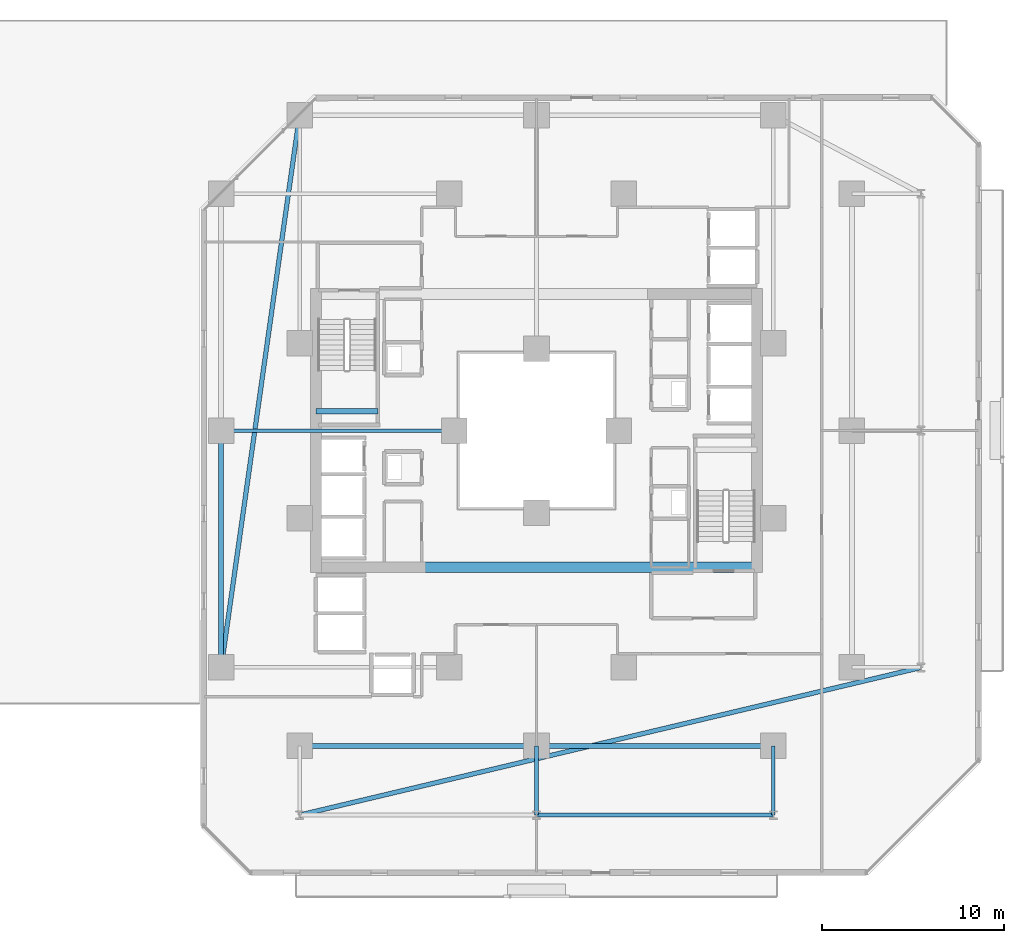
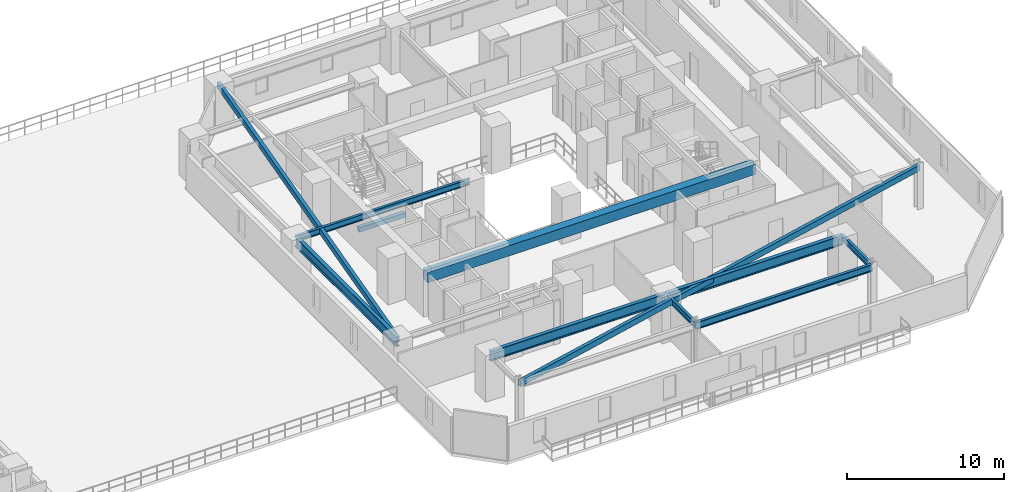
# One storey, part 11 of 34: 11 beams.
"""IFC4 building model written with IfcOpenShell, lengths in metres."""

from ifc_helpers import new_model, si_unit, direction, frame, origin, origin_2d, place, context, subcontext, project, spatial, rectangle, hollow_rectangle, i_section, extrude, material, material_profile, profile_set, type_object, element, save


model = new_model("IFC4")

# Units and contexts
model_context = context("Model", 3, precision=1e-05, world=origin(), true_north=direction((0.0, 1.0)))
body_context = subcontext(model_context, "Body", "Model", "MODEL_VIEW")
ifc_project = project(units=[si_unit("LENGTHUNIT", "METRE"), si_unit("AREAUNIT", "SQUARE_METRE"), si_unit("VOLUMEUNIT", "CUBIC_METRE"), si_unit("PLANEANGLEUNIT", "RADIAN"), si_unit("MASSUNIT", "GRAM", prefix="KILO")], contexts=[model_context])

# Site, building, storey
site_placement = place(None, origin())
site = spatial("IfcSite", under=ifc_project, at=site_placement, CompositionType="ELEMENT")
building_placement = place(site_placement, origin())
building = spatial("IfcBuilding", under=site, at=building_placement, Name="Thornwick Lancets Civic Towers", CompositionType="ELEMENT")
storey_placement = place(building_placement, frame((0.0, 0.0, 27.89990234375)))
storey = spatial("IfcBuildingStorey", under=building, at=storey_placement, Name="L06", CompositionType="ELEMENT", Elevation=27.89990234375)

# Beams
ifc_material_1 = material(Name="Concrete C60/75", Category="concrete")
ifc_material_profile_1 = material_profile(ifc_material_1, rectangle(XDim=0.60009765625, YDim=0.800048828125, at=origin_2d()), Name="RC 600x800")
ifc_profile_set_1 = profile_set([ifc_material_profile_1], Name="Concrete C60/75")
beam_type_1 = type_object("IfcBeamType", Name="BM_COUP_RC800", PredefinedType="BEAM", material=ifc_profile_set_1)
beam_1_placement = place(storey_placement, frame((76.39990234375, 19.5, 2.960205078125), z_axis=(1.0, 0.0, 0.0), x_axis=(0.0, 1.0, 0.0)))
element("IfcBeam", 1, at=beam_1_placement, inside=storey, type_object=beam_type_1, Name="CB-L06-B2", PredefinedType="BEAM", context=body_context, shape_type="SweptSolid", body=[
    extrude(rectangle(XDim=0.60009765625, YDim=0.800048828125, at=origin_2d()), origin(), (0.0, 0.0, 1.0), 24.2001953125),
])
ifc_material_2 = material(Name="Steel S355JR", Category="steel")
ifc_material_profile_2 = material_profile(ifc_material_2, i_section(OverallWidth=0.2119140625, OverallDepth=0.54443359375, WebThickness=0.0126953125, FlangeThickness=0.021240234375, FilletRadius=0.0126953125, at=origin_2d()), Name="UKB 533x210x122")
ifc_profile_set_2 = profile_set([ifc_material_profile_2], Name="Steel S355JR")
beam_type_2 = type_object("IfcBeamType", Name="BM_EDGE_533_122", PredefinedType="SPANDREL", material=ifc_profile_set_2)
beam_2_placement = place(storey_placement, frame((101.5, 5.89990234375, 3.087890625), z_axis=(-1.0, 0.0, 0.0), x_axis=(0.0, -1.0, 0.0)))
element("IfcBeam", 2, at=beam_2_placement, inside=storey, type_object=beam_type_2, Name="BM-EDGE-L06-B-S3-1", PredefinedType="SPANDREL", context=body_context, shape_type="SweptSolid", body=[
    extrude(i_section(OverallWidth=0.2119140625, OverallDepth=0.54443359375, WebThickness=0.0126953125, FlangeThickness=0.021240234375, FilletRadius=0.0126953125, at=origin_2d()), origin(), (0.0, 0.0, 1.0), 13.0),
])
ifc_material_profile_3 = material_profile(ifc_material_2, i_section(OverallWidth=0.26806640625, OverallDepth=0.769775390625, WebThickness=0.015625, FlangeThickness=0.025390625, FilletRadius=0.0166015625, at=origin_2d()), Name="UKB 762x267x197")
ifc_profile_set_3 = profile_set([ifc_material_profile_3], Name="Steel S355JR")
beam_type_3 = type_object("IfcBeamType", Name="BM_GIRD_762_197", PredefinedType="BEAM", material=ifc_profile_set_3)
for number, where, z_axis, x_axis, name in (
    (3, (71.199951171875, 14.0, 2.97509765625), (0.0, 1.0, 0.0), (-1.0, 0.0, 0.0), "BM-SPINE-L06-B-6-7"),
    (4, (101.5, 9.699951171875, 2.97509765625), (-1.0, 0.0, 0.0), (0.0, -1.0, 0.0), "BM-SPINE-L06-B-9-10"),
):
    element("IfcBeam", number, at=place(storey_placement, frame(where, z_axis=z_axis, x_axis=x_axis)), inside=storey, type_object=beam_type_3, Name=name, PredefinedType="BEAM", context=body_context, shape_type="SweptSolid", body=[
        extrude(i_section(OverallWidth=0.26806640625, OverallDepth=0.769775390625, WebThickness=0.015625, FlangeThickness=0.025390625, FilletRadius=0.0166015625, at=origin_2d()), origin(), (0.0, 0.0, 1.0), 13.0),
    ])
beam_3_placement = place(storey_placement, frame((88.419921875, 9.699951171875, 2.97509765625), z_axis=(-1.0, 0.0, 0.0), x_axis=(0.0, -1.0, 0.0)))
element("IfcBeam", 5, at=beam_3_placement, inside=storey, type_object=beam_type_3, Name="BM-SPINE-L06-B-10-11", PredefinedType="BEAM", context=body_context, shape_type="SweptSolid", body=[
    extrude(i_section(OverallWidth=0.26806640625, OverallDepth=0.769775390625, WebThickness=0.015625, FlangeThickness=0.025390625, FilletRadius=0.0166015625, at=origin_2d()), origin(), (0.0, 0.0, 1.0), 12.919921875),
])
ifc_material_profile_4 = material_profile(ifc_material_2, i_section(OverallWidth=0.19287109375, OverallDepth=0.46728515625, WebThickness=0.011474609375, FlangeThickness=0.01953125, FilletRadius=0.01025390625, at=origin_2d()), Name="UKB 457x191x98")
ifc_profile_set_4 = profile_set([ifc_material_profile_4], Name="Steel S355JR")
beam_type_4 = type_object("IfcBeamType", Name="BM_JOIST_457_98", PredefinedType="JOIST", material=ifc_profile_set_4)
beam_4_placement = place(storey_placement, frame((84.0, 27.0, 3.12646484375), z_axis=(-1.0, 0.0, 0.0), x_axis=(0.0, -1.0, 0.0)))
element("IfcBeam", 6, at=beam_4_placement, inside=storey, type_object=beam_type_4, Name="BM-RADIN-L06-B08", PredefinedType="JOIST", context=body_context, shape_type="SweptSolid", body=[
    extrude(i_section(OverallWidth=0.19287109375, OverallDepth=0.46728515625, WebThickness=0.011474609375, FlangeThickness=0.01953125, FilletRadius=0.01025390625, at=origin_2d()), origin(), (0.0, 0.0, 1.0), 12.800048828125),
])
for number, where, z_axis, x_axis, name in (
    (7, (101.5, 9.699951171875, 3.12646484375), (0.0, -1.0, 0.0), (1.0, 0.0, 0.0), "BM-RAD-L06-B10"),
    (8, (88.5, 9.699951171875, 3.12646484375), (0.0, -1.0, 0.0), (1.0, 0.0, 0.0), "BM-RAD-L06-B11"),
):
    element("IfcBeam", number, at=place(storey_placement, frame(where, z_axis=z_axis, x_axis=x_axis)), inside=storey, type_object=beam_type_4, Name=name, PredefinedType="JOIST", context=body_context, shape_type="SweptSolid", body=[
        extrude(i_section(OverallWidth=0.19287109375, OverallDepth=0.46728515625, WebThickness=0.011474609375, FlangeThickness=0.01953125, FilletRadius=0.01025390625, at=origin_2d()), origin(), (0.0, 0.0, 1.0), 3.800048828125),
    ])
ifc_material_profile_5 = material_profile(ifc_material_2, hollow_rectangle(XDim=0.25, YDim=0.449951171875, WallThickness=0.01611328125, at=origin_2d()), Name="RHS 450x250x16")
ifc_profile_set_5 = profile_set([ifc_material_profile_5], Name="Steel S355JR")
beam_type_5 = type_object("IfcBeamType", Name="BM_RING_RHS450", PredefinedType="BEAM", material=ifc_profile_set_5)
beam_5_placement = place(storey_placement, frame((75.5, 44.300048828125, 3.135009765625), z_axis=(-0.140507712682, -0.990079584012, 0.0), x_axis=(0.990079584012, -0.140507712682, 0.0)))
element("IfcBeam", 9, at=beam_5_placement, inside=storey, type_object=beam_type_5, Name="BM-CHAMF-L06-B-C1", PredefinedType="BEAM", context=body_context, shape_type="SweptSolid", body=[
    extrude(hollow_rectangle(XDim=0.25, YDim=0.449951171875, WallThickness=0.01611328125, at=origin_2d()), origin(), (0.0, 0.0, 1.0), 30.603759765625),
])
beam_6_placement = place(storey_placement, frame((75.5, 5.89990234375, 3.135009765625), z_axis=(0.972928054394, 0.231108201875, 0.0), x_axis=(-0.231108201875, 0.972928054394, 0.0)))
element("IfcBeam", 10, at=beam_6_placement, inside=storey, type_object=beam_type_5, Name="BM-CHAMF-L06-B-C3", PredefinedType="BEAM", context=body_context, shape_type="SweptSolid", body=[
    extrude(hollow_rectangle(XDim=0.25, YDim=0.449951171875, WallThickness=0.01611328125, at=origin_2d()), origin(), (0.0, 0.0, 1.0), 35.048828125),
])
ifc_material_3 = material(Name="Concrete C40/50", Category="concrete")
ifc_material_profile_6 = material_profile(ifc_material_3, rectangle(XDim=0.300048828125, YDim=0.35009765625, at=origin_2d()), Name="RC 300x350")
ifc_profile_set_6 = profile_set([ifc_material_profile_6], Name="Concrete C40/50")
beam_type_6 = type_object("IfcBeamType", Name="BM_STAIR_LDG", PredefinedType="BEAM", material=ifc_profile_set_6)
beam_7_placement = place(storey_placement, frame((76.39990234375, 28.06494140625, 1.378173828125), z_axis=(1.0, 0.0, 0.0), x_axis=(0.0, 1.0, 0.0)))
element("IfcBeam", 11, at=beam_7_placement, inside=storey, type_object=beam_type_6, Name="L06 ST-B2 Landing Support Beam 1", PredefinedType="BEAM", context=body_context, shape_type="SweptSolid", body=[
    extrude(rectangle(XDim=0.300048828125, YDim=0.35009765625, at=origin_2d()), origin(), (0.0, 0.0, 1.0), 3.400146484375),
])

save(model, "model.ifc")
